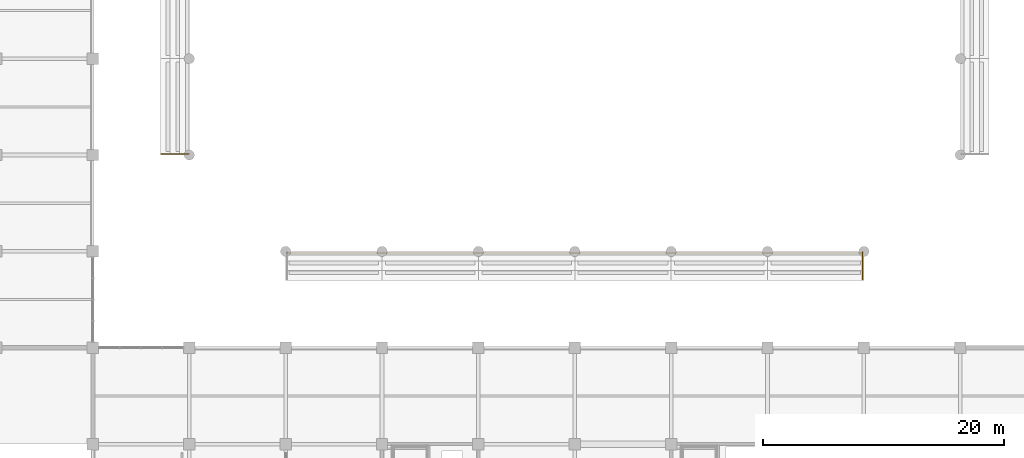
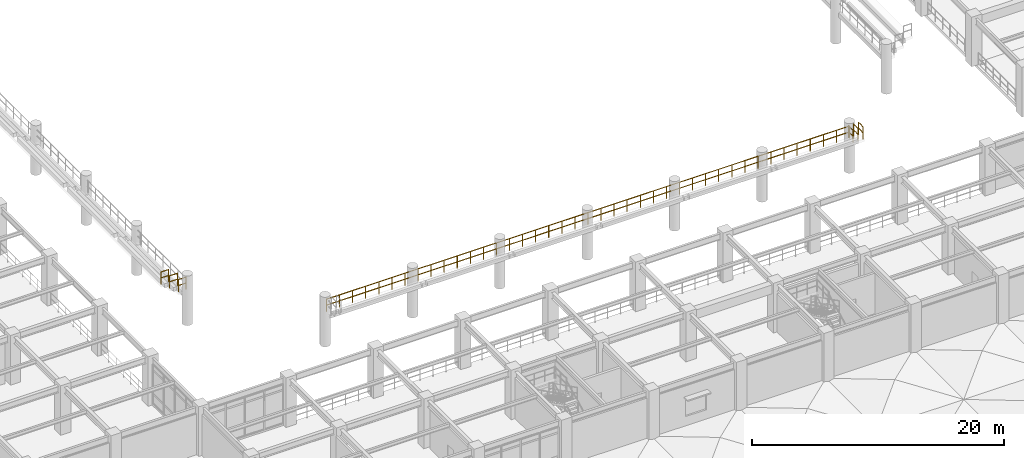
# One storey, part 95 of 109: 7 railings.
"""IFC4 building model written with IfcOpenShell, lengths in metres."""

from ifc_helpers import new_model, si_unit, direction, frame, origin, origin_2d, place, context, subcontext, project, spatial, circle, extrude, material, type_object, element, save


model = new_model("IFC4")

# Units and contexts
model_context = context("Model", 3, precision=1e-05, world=origin(), true_north=direction((0.0, 1.0)))
body_context = subcontext(model_context, "Body", "Model", "MODEL_VIEW")
ifc_project = project(units=[si_unit("LENGTHUNIT", "METRE"), si_unit("AREAUNIT", "SQUARE_METRE"), si_unit("VOLUMEUNIT", "CUBIC_METRE"), si_unit("PLANEANGLEUNIT", "RADIAN"), si_unit("MASSUNIT", "GRAM", prefix="KILO")], contexts=[model_context])

# Site, building, storey
site_placement = place(None, origin())
site = spatial("IfcSite", under=ifc_project, at=site_placement, CompositionType="ELEMENT")
building_placement = place(site_placement, origin())
building = spatial("IfcBuilding", under=site, at=building_placement, Name="Haebicheon Civic Stadium", CompositionType="ELEMENT")
storey_placement = place(building_placement, frame((0.0, 0.0, 9.60009765625)))
storey = spatial("IfcBuildingStorey", under=building, at=storey_placement, Name="L03", CompositionType="ELEMENT", Elevation=9.60009765625)

# Railings
ifc_material = material(Name="Stainless steel 316 and laminated glass", Category="steel")
railing_type = type_object("IfcRailingType", Name="RL-BAL-1200", PredefinedType="BALUSTRADE", material=ifc_material)
for number, where, name in (
    (1, (71.239990234375, 48.10009765625, 3.199951171875), "TIER-W-U end-aisle side guard S.1"),
    (2, (70.43994140625, 48.10009765625, 3.843994140625), "TIER-W-U end-aisle side guard S.2"),
):
    element("IfcRailing", number, at=place(storey_placement, frame(where)), inside=storey, type_object=railing_type, material=ifc_material, Name=name, PredefinedType="BALUSTRADE", context=body_context, shape_type="SweptSolid", body=[
        extrude(circle(Radius=0.02392578125, at=origin_2d()), frame((0.0, 0.0, 1.17578125), z_axis=(1.0, 0.0, 0.0), x_axis=(0.0, 1.0, 0.0)), (0.0, 0.0, 1.0), 0.719970703125),
        extrude(circle(Radius=0.02392578125, at=origin_2d()), frame((0.0, 0.0, 0.60009765625), z_axis=(1.0, 0.0, 0.0), x_axis=(0.0, 1.0, 0.0)), (0.0, 0.0, 1.0), 0.719970703125),
        extrude(circle(Radius=0.02099609375, at=origin_2d()), origin(), (0.0, 0.0, 1.0), 1.15185546875),
        extrude(circle(Radius=0.02099609375, at=origin_2d()), frame((0.719970703125, 0.0, 0.0)), (0.0, 0.0, 1.0), 1.15185546875),
    ])
railing_1_placement = place(storey_placement, frame((69.639892578125, 48.10009765625, 4.489013671875)))
element("IfcRailing", 3, at=railing_1_placement, inside=storey, type_object=railing_type, material=ifc_material, Name="TIER-W-U end-aisle side guard S.3", PredefinedType="BALUSTRADE", context=body_context, shape_type="SweptSolid", body=[
    extrude(circle(Radius=0.02392578125, at=origin_2d()), frame((0.0, 0.0, 1.17578125), z_axis=(1.0, 0.0, 0.0), x_axis=(0.0, 1.0, 0.0)), (0.0, 0.0, 1.0), 0.72021484375),
    extrude(circle(Radius=0.02392578125, at=origin_2d()), frame((0.0, 0.0, 0.60009765625), z_axis=(1.0, 0.0, 0.0), x_axis=(0.0, 1.0, 0.0)), (0.0, 0.0, 1.0), 0.72021484375),
    extrude(circle(Radius=0.02099609375, at=origin_2d()), origin(), (0.0, 0.0, 1.0), 1.15185546875),
    extrude(circle(Radius=0.02099609375, at=origin_2d()), frame((0.72021484375, 0.0, 0.0)), (0.0, 0.0, 1.0), 1.15185546875),
])
railing_2_placement = place(storey_placement, frame((80.06005859375, 39.8798828125, 3.199951171875)))
element("IfcRailing", 4, at=railing_2_placement, inside=storey, type_object=railing_type, material=ifc_material, Name="TIER-S-U pitchside sightline balustrade", PredefinedType="BALUSTRADE", context=body_context, shape_type="SweptSolid", body=[
    extrude(circle(Radius=0.02392578125, at=origin_2d()), frame((0.0, 0.0, 1.17578125), z_axis=(1.0, 0.0, 0.0), x_axis=(0.0, 1.0, 0.0)), (0.0, 0.0, 1.0), 47.8798828125),
    extrude(circle(Radius=0.02392578125, at=origin_2d()), frame((0.0, 0.0, 0.60009765625), z_axis=(1.0, 0.0, 0.0), x_axis=(0.0, 1.0, 0.0)), (0.0, 0.0, 1.0), 47.8798828125),
    extrude(circle(Radius=0.02099609375, at=origin_2d()), origin(), (0.0, 0.0, 1.0), 1.15185546875),
    extrude(circle(Radius=0.02099609375, at=origin_2d()), frame((1.197021484375, 0.0, 0.0)), (0.0, 0.0, 1.0), 1.15185546875),
    extrude(circle(Radius=0.02099609375, at=origin_2d()), frame((2.39404296875, 0.0, 0.0)), (0.0, 0.0, 1.0), 1.15185546875),
    extrude(circle(Radius=0.02099609375, at=origin_2d()), frame((3.591064453125, 0.0, 0.0)), (0.0, 0.0, 1.0), 1.15185546875),
    extrude(circle(Radius=0.02099609375, at=origin_2d()), frame((4.7880859375, 0.0, 0.0)), (0.0, 0.0, 1.0), 1.15185546875),
    extrude(circle(Radius=0.02099609375, at=origin_2d()), frame((5.98486328125, 0.0, 0.0)), (0.0, 0.0, 1.0), 1.15185546875),
    extrude(circle(Radius=0.02099609375, at=origin_2d()), frame((7.181884765625, 0.0, 0.0)), (0.0, 0.0, 1.0), 1.15185546875),
    extrude(circle(Radius=0.02099609375, at=origin_2d()), frame((8.37890625, 0.0, 0.0)), (0.0, 0.0, 1.0), 1.15185546875),
    extrude(circle(Radius=0.02099609375, at=origin_2d()), frame((9.575927734375, 0.0, 0.0)), (0.0, 0.0, 1.0), 1.15185546875),
    extrude(circle(Radius=0.02099609375, at=origin_2d()), frame((10.77294921875, 0.0, 0.0)), (0.0, 0.0, 1.0), 1.15185546875),
    extrude(circle(Radius=0.02099609375, at=origin_2d()), frame((11.969970703125, 0.0, 0.0)), (0.0, 0.0, 1.0), 1.15185546875),
    extrude(circle(Radius=0.02099609375, at=origin_2d()), frame((13.1669921875, 0.0, 0.0)), (0.0, 0.0, 1.0), 1.15185546875),
    extrude(circle(Radius=0.02099609375, at=origin_2d()), frame((14.364013671875, 0.0, 0.0)), (0.0, 0.0, 1.0), 1.15185546875),
    extrude(circle(Radius=0.02099609375, at=origin_2d()), frame((15.56103515625, 0.0, 0.0)), (0.0, 0.0, 1.0), 1.15185546875),
    extrude(circle(Radius=0.02099609375, at=origin_2d()), frame((16.758056640625, 0.0, 0.0)), (0.0, 0.0, 1.0), 1.15185546875),
    extrude(circle(Radius=0.02099609375, at=origin_2d()), frame((17.955078125, 0.0, 0.0)), (0.0, 0.0, 1.0), 1.15185546875),
    extrude(circle(Radius=0.02099609375, at=origin_2d()), frame((19.15185546875, 0.0, 0.0)), (0.0, 0.0, 1.0), 1.15185546875),
    extrude(circle(Radius=0.02099609375, at=origin_2d()), frame((20.348876953125, 0.0, 0.0)), (0.0, 0.0, 1.0), 1.15185546875),
    extrude(circle(Radius=0.02099609375, at=origin_2d()), frame((21.5458984375, 0.0, 0.0)), (0.0, 0.0, 1.0), 1.15185546875),
    extrude(circle(Radius=0.02099609375, at=origin_2d()), frame((22.742919921875, 0.0, 0.0)), (0.0, 0.0, 1.0), 1.15185546875),
    extrude(circle(Radius=0.02099609375, at=origin_2d()), frame((23.93994140625, 0.0, 0.0)), (0.0, 0.0, 1.0), 1.15185546875),
    extrude(circle(Radius=0.02099609375, at=origin_2d()), frame((25.136962890625, 0.0, 0.0)), (0.0, 0.0, 1.0), 1.15185546875),
    extrude(circle(Radius=0.02099609375, at=origin_2d()), frame((26.333984375, 0.0, 0.0)), (0.0, 0.0, 1.0), 1.15185546875),
    extrude(circle(Radius=0.02099609375, at=origin_2d()), frame((27.531005859375, 0.0, 0.0)), (0.0, 0.0, 1.0), 1.15185546875),
    extrude(circle(Radius=0.02099609375, at=origin_2d()), frame((28.72802734375, 0.0, 0.0)), (0.0, 0.0, 1.0), 1.15185546875),
    extrude(circle(Radius=0.02099609375, at=origin_2d()), frame((29.9248046875, 0.0, 0.0)), (0.0, 0.0, 1.0), 1.15185546875),
    extrude(circle(Radius=0.02099609375, at=origin_2d()), frame((31.121826171875, 0.0, 0.0)), (0.0, 0.0, 1.0), 1.15185546875),
    extrude(circle(Radius=0.02099609375, at=origin_2d()), frame((32.31884765625, 0.0, 0.0)), (0.0, 0.0, 1.0), 1.15185546875),
    extrude(circle(Radius=0.02099609375, at=origin_2d()), frame((33.515869140625, 0.0, 0.0)), (0.0, 0.0, 1.0), 1.15185546875),
    extrude(circle(Radius=0.02099609375, at=origin_2d()), frame((34.712890625, 0.0, 0.0)), (0.0, 0.0, 1.0), 1.15185546875),
    extrude(circle(Radius=0.02099609375, at=origin_2d()), frame((35.909912109375, 0.0, 0.0)), (0.0, 0.0, 1.0), 1.15185546875),
    extrude(circle(Radius=0.02099609375, at=origin_2d()), frame((37.10693359375, 0.0, 0.0)), (0.0, 0.0, 1.0), 1.15185546875),
    extrude(circle(Radius=0.02099609375, at=origin_2d()), frame((38.303955078125, 0.0, 0.0)), (0.0, 0.0, 1.0), 1.15185546875),
    extrude(circle(Radius=0.02099609375, at=origin_2d()), frame((39.5009765625, 0.0, 0.0)), (0.0, 0.0, 1.0), 1.15185546875),
    extrude(circle(Radius=0.02099609375, at=origin_2d()), frame((40.697998046875, 0.0, 0.0)), (0.0, 0.0, 1.0), 1.15185546875),
    extrude(circle(Radius=0.02099609375, at=origin_2d()), frame((41.89501953125, 0.0, 0.0)), (0.0, 0.0, 1.0), 1.15185546875),
    extrude(circle(Radius=0.02099609375, at=origin_2d()), frame((43.091796875, 0.0, 0.0)), (0.0, 0.0, 1.0), 1.15185546875),
    extrude(circle(Radius=0.02099609375, at=origin_2d()), frame((44.288818359375, 0.0, 0.0)), (0.0, 0.0, 1.0), 1.15185546875),
    extrude(circle(Radius=0.02099609375, at=origin_2d()), frame((45.48583984375, 0.0, 0.0)), (0.0, 0.0, 1.0), 1.15185546875),
    extrude(circle(Radius=0.02099609375, at=origin_2d()), frame((46.682861328125, 0.0, 0.0)), (0.0, 0.0, 1.0), 1.15185546875),
    extrude(circle(Radius=0.02099609375, at=origin_2d()), frame((47.8798828125, 0.0, 0.0)), (0.0, 0.0, 1.0), 1.15185546875),
])
for number, where, name in (
    (5, (127.89990234375, 39.239990234375, 3.199951171875), "TIER-S-U end-aisle side guard E.1"),
    (6, (127.89990234375, 38.43994140625, 3.843994140625), "TIER-S-U end-aisle side guard E.2"),
):
    element("IfcRailing", number, at=place(storey_placement, frame(where)), inside=storey, type_object=railing_type, material=ifc_material, Name=name, PredefinedType="BALUSTRADE", context=body_context, shape_type="SweptSolid", body=[
        extrude(circle(Radius=0.02392578125, at=origin_2d()), frame((0.0, 0.0, 1.17578125), z_axis=(0.0, 1.0, 0.0), x_axis=(-1.0, 0.0, 0.0)), (0.0, 0.0, 1.0), 0.719970703125),
        extrude(circle(Radius=0.02392578125, at=origin_2d()), frame((0.0, 0.0, 0.60009765625), z_axis=(0.0, 1.0, 0.0), x_axis=(-1.0, 0.0, 0.0)), (0.0, 0.0, 1.0), 0.719970703125),
        extrude(circle(Radius=0.02099609375, at=origin_2d()), origin(), (0.0, 0.0, 1.0), 1.15185546875),
        extrude(circle(Radius=0.02099609375, at=origin_2d()), frame((0.0, 0.719970703125, 0.0)), (0.0, 0.0, 1.0), 1.15185546875),
    ])
railing_3_placement = place(storey_placement, frame((127.89990234375, 37.639892578125, 4.489013671875)))
element("IfcRailing", 7, at=railing_3_placement, inside=storey, type_object=railing_type, material=ifc_material, Name="TIER-S-U end-aisle side guard E.3", PredefinedType="BALUSTRADE", context=body_context, shape_type="SweptSolid", body=[
    extrude(circle(Radius=0.02392578125, at=origin_2d()), frame((0.0, 0.0, 1.17578125), z_axis=(0.0, 1.0, 0.0), x_axis=(-1.0, 0.0, 0.0)), (0.0, 0.0, 1.0), 0.72021484375),
    extrude(circle(Radius=0.02392578125, at=origin_2d()), frame((0.0, 0.0, 0.60009765625), z_axis=(0.0, 1.0, 0.0), x_axis=(-1.0, 0.0, 0.0)), (0.0, 0.0, 1.0), 0.72021484375),
    extrude(circle(Radius=0.02099609375, at=origin_2d()), origin(), (0.0, 0.0, 1.0), 1.15185546875),
    extrude(circle(Radius=0.02099609375, at=origin_2d()), frame((0.0, 0.72021484375, 0.0)), (0.0, 0.0, 1.0), 1.15185546875),
])

save(model, "model.ifc")
